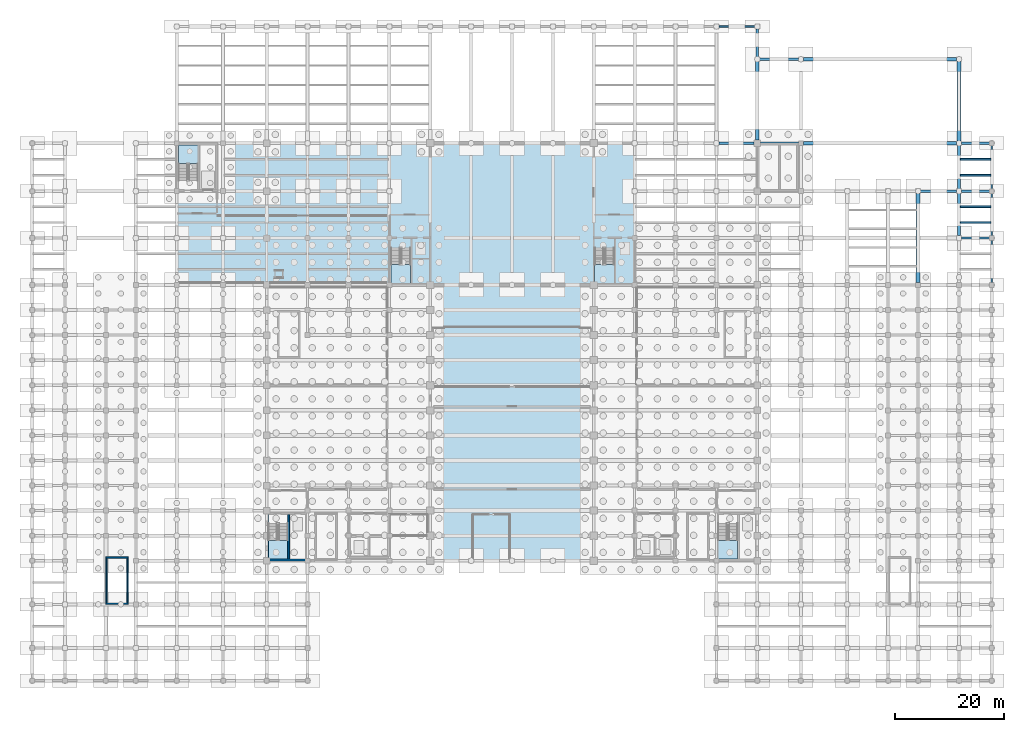
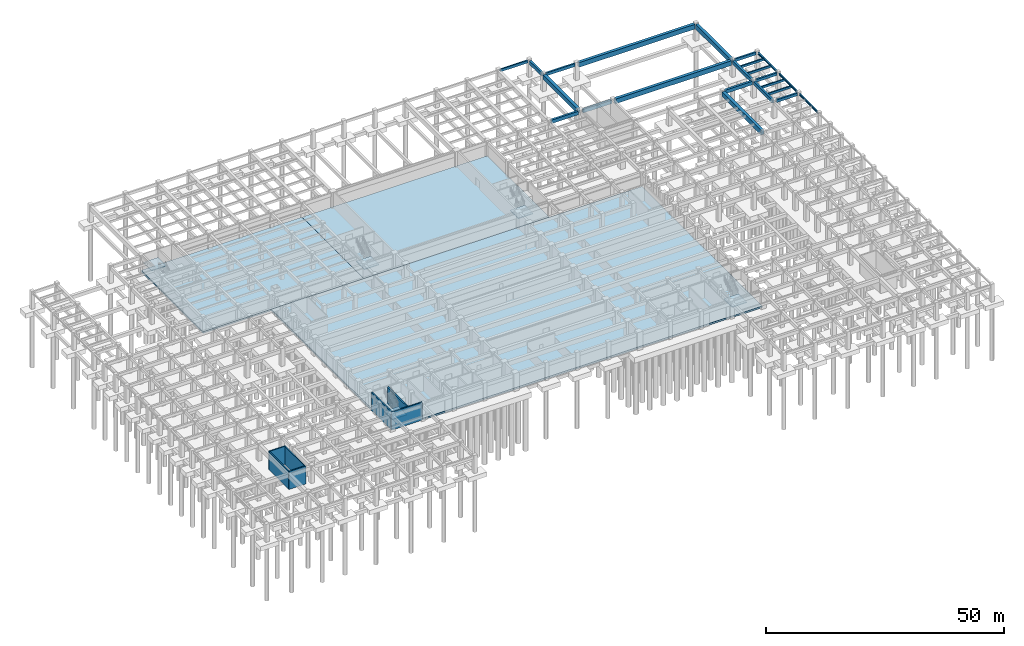
# One storey, part 20 of 32: 23 beams, 8 slabs, 7 walls, 5 elements without a shape of their own.
"""IFC4 building model written with IfcOpenShell, lengths in metres."""

from ifc_helpers import new_model, si_unit, direction, frame, frame_2d, origin, origin_2d, place, context, subcontext, project, spatial, polyline, rectangle, i_section, outline, extrude, material, layer, layer_set, material_profile, profile_set, type_object, element, aggregate, save


model = new_model("IFC4")

# Units and contexts
model_context = context("Model", 3, precision=1e-05, world=origin(), true_north=direction((0.0, 1.0)))
body_context = subcontext(model_context, "Body", "Model", "MODEL_VIEW")
ifc_project = project(units=[si_unit("LENGTHUNIT", "METRE"), si_unit("AREAUNIT", "SQUARE_METRE"), si_unit("VOLUMEUNIT", "CUBIC_METRE"), si_unit("PLANEANGLEUNIT", "RADIAN"), si_unit("MASSUNIT", "GRAM", prefix="KILO")], contexts=[model_context])

# Site, building, storey
site_placement = place(None, origin())
site = spatial("IfcSite", under=ifc_project, at=site_placement, CompositionType="ELEMENT")
building_placement = place(site_placement, origin())
building = spatial("IfcBuilding", under=site, at=building_placement, Name="Muzn Square Opera House", CompositionType="ELEMENT")
storey_placement = place(building_placement, frame((0.0, 0.0, -4.199951171875)))
storey = spatial("IfcBuildingStorey", under=building, at=storey_placement, Name="B1", CompositionType="ELEMENT", Elevation=-4.199951171875)

# Beams
ifc_material_1 = material(Name="Concrete C40/50", Category="concrete")
ifc_material_profile_1 = material_profile(ifc_material_1, rectangle(XDim=0.300048828125, YDim=0.550048828125, at=origin_2d()), Name="RCJ 300x550", Category="concrete")
ifc_profile_set_1 = profile_set([ifc_material_profile_1], Name="Concrete C40/50")
beam_type_1 = type_object("IfcBeamType", Name="Floor Joist 300x550", PredefinedType="JOIST", material=ifc_profile_set_1)
for number, where, z_axis, x_axis, name in (
    (1, (170.241943359375, 84.066650390625, 3.6650390625), (1.0, 0.0, 0.0), (0.0, 1.0, 0.0), "Floor Joist BM-B1-BM-J550-1702_841_1759_841-716"),
    (2, (170.241943359375, 86.933349609375, 3.6650390625), (1.0, 0.0, 0.0), (0.0, 1.0, 0.0), "Floor Joist BM-B1-BM-J550-1702_869_1759_869-717"),
    (3, (170.241943359375, 92.7333984375, 3.6650390625), (1.0, 0.0, 0.0), (0.0, 1.0, 0.0), "Floor Joist BM-B1-BM-J550-1702_927_1759_927-718"),
    (4, (170.241943359375, 95.666748046875, 3.6650390625), (1.0, 0.0, 0.0), (0.0, 1.0, 0.0), "Floor Joist BM-B1-BM-J550-1702_957_1759_957-719"),
):
    element("IfcBeam", number, at=place(storey_placement, frame(where, z_axis=z_axis, x_axis=x_axis)), inside=storey, type_object=beam_type_1, Name=name, PredefinedType="JOIST", context=body_context, shape_type="SweptSolid", body=[
        extrude(rectangle(XDim=0.300048828125, YDim=0.550048828125, at=origin_2d()), origin(), (0.0, 0.0, 1.0), 5.615966796875),
    ])
ifc_material_profile_2 = material_profile(ifc_material_1, rectangle(XDim=0.39990234375, YDim=0.699951171875, at=origin_2d()), Name="RCB 400x700", Category="concrete")
ifc_profile_set_2 = profile_set([ifc_material_profile_2], Name="Concrete C40/50")
beam_type_2 = type_object("IfcBeamType", Name="Primary Girder 400x700", PredefinedType="BEAM", material=ifc_profile_set_2)
for number, where, z_axis, x_axis, name in (
    (5, (170.44189453125, 81.199951171875, 3.58984375), (1.0, 0.0, 0.0), (0.0, 1.0, 0.0), "Primary Girder BM-B1-BM-PG700-1704_812_1756_812-241"),
    (6, (170.44189453125, 89.800048828125, 3.58984375), (1.0, 0.0, 0.0), (0.0, 1.0, 0.0), "Primary Girder BM-B1-BM-PG700-1704_898_1756_898-257"),
    (7, (170.44189453125, 98.60009765625, 3.530029296875), (1.0, 0.0, 0.0), (0.0, 1.0, 0.0), "Primary Girder BM-B1-BM-PG700-1704_986_1756_986-273"),
):
    element("IfcBeam", number, at=place(storey_placement, frame(where, z_axis=z_axis, x_axis=x_axis)), inside=storey, type_object=beam_type_2, Name=name, PredefinedType="BEAM", context=body_context, shape_type="SweptSolid", body=[
        extrude(rectangle(XDim=0.39990234375, YDim=0.699951171875, at=origin_2d()), origin(), (0.0, 0.0, 1.0), 5.14111328125),
    ])
ifc_material_profile_3 = material_profile(ifc_material_1, rectangle(XDim=0.5, YDim=0.89990234375, at=origin_2d()), Name="RCB 500x900", Category="concrete")
ifc_profile_set_3 = profile_set([ifc_material_profile_3], Name="Concrete C40/50")
beam_type_3 = type_object("IfcBeamType", Name="Primary Girder 500x900", PredefinedType="BEAM", material=ifc_profile_set_3)
beam_1_placement = place(storey_placement, frame((162.94189453125, 89.800048828125, 3.429931640625), z_axis=(1.0, 0.0, 0.0), x_axis=(0.0, 1.0, 0.0)))
element("IfcBeam", 8, at=beam_1_placement, inside=storey, type_object=beam_type_3, Name="Primary Girder BM-B1-BM-PG900-1629_898_1696_898-256", PredefinedType="BEAM", context=body_context, shape_type="SweptSolid", body=[
    extrude(rectangle(XDim=0.5, YDim=0.89990234375, at=origin_2d()), origin(), (0.0, 0.0, 1.0), 6.6162109375),
])
beam_2_placement = place(storey_placement, frame((125.94189453125, 98.60009765625, 3.389892578125), z_axis=(1.0, 0.0, 0.0), x_axis=(0.0, 1.0, 0.0)))
element("IfcBeam", 9, at=beam_2_placement, inside=storey, type_object=beam_type_3, Name="Primary Girder BM-B1-BM-PG900-1259_986_1324_986-270", PredefinedType="BEAM", context=body_context, shape_type="SweptSolid", body=[
    extrude(rectangle(XDim=0.5, YDim=0.89990234375, at=origin_2d()), origin(), (0.0, 0.0, 1.0), 6.466064453125),
])
beam_3_placement = place(storey_placement, frame((133.592041015625, 98.60009765625, 3.429931640625), z_axis=(1.0, 0.0, 0.0), x_axis=(0.0, 1.0, 0.0)))
element("IfcBeam", 10, at=beam_3_placement, inside=storey, type_object=beam_type_3, Name="Primary Girder BM-B1-BM-PG900-1336_986_1406_986-271", PredefinedType="BEAM", context=body_context, shape_type="SweptSolid", body=[
    extrude(rectangle(XDim=0.5, YDim=0.89990234375, at=origin_2d()), origin(), (0.0, 0.0, 1.0), 6.966064453125),
])
beam_4_placement = place(storey_placement, frame((170.0, 81.64208984375, 3.429931640625), z_axis=(0.0, 1.0, 0.0), x_axis=(-1.0, 0.0, 0.0)))
element("IfcBeam", 11, at=beam_4_placement, inside=storey, type_object=beam_type_3, Name="Primary Girder BM-B1-BM-PG900-1700_816_1700_894-560", PredefinedType="BEAM", context=body_context, shape_type="SweptSolid", body=[
    extrude(rectangle(XDim=0.5, YDim=0.89990234375, at=origin_2d()), origin(), (0.0, 0.0, 1.0), 7.7158203125),
])
beam_5_placement = place(storey_placement, frame((170.0, 90.241943359375, 3.429931640625), z_axis=(0.0, 1.0, 0.0), x_axis=(-1.0, 0.0, 0.0)))
element("IfcBeam", 12, at=beam_5_placement, inside=storey, type_object=beam_type_3, Name="Primary Girder BM-B1-BM-PG900-1700_902_1700_982-561", PredefinedType="BEAM", context=body_context, shape_type="SweptSolid", body=[
    extrude(rectangle(XDim=0.5, YDim=0.89990234375, at=origin_2d()), origin(), (0.0, 0.0, 1.0), 7.916015625),
])
beam_6_placement = place(storey_placement, frame((133.0, 114.44189453125, 3.389892578125), z_axis=(0.0, 1.0, 0.0), x_axis=(-1.0, 0.0, 0.0)))
element("IfcBeam", 13, at=beam_6_placement, inside=storey, type_object=beam_type_3, Name="Primary Girder BM-N114-B1-005", PredefinedType="BEAM", context=body_context, shape_type="SweptSolid", body=[
    extrude(rectangle(XDim=0.5, YDim=0.89990234375, at=origin_2d()), origin(), (0.0, 0.0, 1.0), 5.1162109375),
])
ifc_material_profile_4 = material_profile(ifc_material_1, rectangle(XDim=0.699951171875, YDim=1.199951171875, at=origin_2d()), Name="RCB 700x1200", Category="concrete")
ifc_profile_set_4 = profile_set([ifc_material_profile_4], Name="Concrete C40/50")
beam_type_4 = type_object("IfcBeamType", Name="Primary Girder 700x1200", PredefinedType="BEAM", material=ifc_profile_set_4)
beam_7_placement = place(storey_placement, frame((141.44189453125, 98.60009765625, 3.280029296875), z_axis=(1.0, 0.0, 0.0), x_axis=(0.0, 1.0, 0.0)))
element("IfcBeam", 14, at=beam_7_placement, inside=storey, type_object=beam_type_4, Name="Primary Girder BM-B1-BM-PG1200-1414_986_1696_986-272", PredefinedType="BEAM", context=body_context, shape_type="SweptSolid", body=[
    extrude(rectangle(XDim=0.699951171875, YDim=1.199951171875, at=origin_2d()), origin(), (0.0, 0.0, 1.0), 28.1162109375),
])
beam_8_placement = place(storey_placement, frame((162.5, 73.0419921875, 3.280029296875), z_axis=(0.0, 1.0, 0.0), x_axis=(-1.0, 0.0, 0.0)))
element("IfcBeam", 15, at=beam_8_placement, inside=storey, type_object=beam_type_4, Name="Primary Girder BM-B1-BM-PG1200-1625_730_1625_894-544", PredefinedType="BEAM", context=body_context, shape_type="SweptSolid", body=[
    extrude(rectangle(XDim=0.699951171875, YDim=1.199951171875, at=origin_2d()), origin(), (0.0, 0.0, 1.0), 16.31591796875),
])
beam_9_placement = place(storey_placement, frame((141.44189453125, 114.0, 3.280029296875), z_axis=(1.0, 0.0, 0.0), x_axis=(0.0, 1.0, 0.0)))
element("IfcBeam", 16, at=beam_9_placement, inside=storey, type_object=beam_type_4, Name="Spandrel Beam BM-N114-B1-002", PredefinedType="BEAM", context=body_context, shape_type="SweptSolid", body=[
    extrude(rectangle(XDim=0.699951171875, YDim=1.199951171875, at=origin_2d()), origin(), (0.0, 0.0, 1.0), 28.1162109375),
])
beam_10_placement = place(storey_placement, frame((133.0, 99.19189453125, 3.280029296875), z_axis=(0.0, 1.0, 0.0), x_axis=(-1.0, 0.0, 0.0)))
element("IfcBeam", 17, at=beam_10_placement, inside=storey, type_object=beam_type_4, Name="Primary Girder BM-N114-B1-003", PredefinedType="BEAM", context=body_context, shape_type="SweptSolid", body=[
    extrude(rectangle(XDim=0.699951171875, YDim=1.199951171875, at=origin_2d()), origin(), (0.0, 0.0, 1.0), 14.3662109375),
])
beam_11_placement = place(storey_placement, frame((170.0, 99.0419921875, 3.280029296875), z_axis=(0.0, 1.0, 0.0), x_axis=(-1.0, 0.0, 0.0)))
element("IfcBeam", 18, at=beam_11_placement, inside=storey, type_object=beam_type_4, Name="Primary Girder BM-N114-B1-004", PredefinedType="BEAM", context=body_context, shape_type="SweptSolid", body=[
    extrude(rectangle(XDim=0.699951171875, YDim=1.199951171875, at=origin_2d()), origin(), (0.0, 0.0, 1.0), 14.51611328125),
])
ifc_material_profile_5 = material_profile(ifc_material_1, rectangle(XDim=0.35009765625, YDim=0.64990234375, at=origin_2d()), Name="RCS 350x650", Category="concrete")
ifc_profile_set_5 = profile_set([ifc_material_profile_5], Name="Concrete C40/50")
beam_type_5 = type_object("IfcBeamType", Name="Spandrel Beam 350x650", PredefinedType="SPANDREL", material=ifc_profile_set_5)
beam_12_placement = place(storey_placement, frame((125.94189453125, 120.0, 3.514892578125), z_axis=(1.0, 0.0, 0.0), x_axis=(0.0, 1.0, 0.0)))
element("IfcBeam", 19, at=beam_12_placement, inside=storey, type_object=beam_type_5, Name="Spandrel Beam BM-B1-BM-SP650-1259_1200_1326_1200-287", PredefinedType="SPANDREL", context=body_context, shape_type="SweptSolid", body=[
    extrude(rectangle(XDim=0.35009765625, YDim=0.64990234375, at=origin_2d()), origin(), (0.0, 0.0, 1.0), 6.6162109375),
])
ifc_material_profile_6 = material_profile(ifc_material_1, rectangle(XDim=0.39990234375, YDim=0.75, at=origin_2d()), Name="RCS 400x750", Category="concrete")
ifc_profile_set_6 = profile_set([ifc_material_profile_6], Name="Concrete C40/50")
beam_type_6 = type_object("IfcBeamType", Name="Spandrel Beam 400x750", PredefinedType="SPANDREL", material=ifc_profile_set_6)
beam_13_placement = place(storey_placement, frame((133.44189453125, 114.0, 3.5048828125), z_axis=(1.0, 0.0, 0.0), x_axis=(0.0, 1.0, 0.0)))
element("IfcBeam", 20, at=beam_13_placement, inside=storey, type_object=beam_type_6, Name="Spandrel Beam BM-N114-B1-001", PredefinedType="SPANDREL", context=body_context, shape_type="SweptSolid", body=[
    extrude(rectangle(XDim=0.39990234375, YDim=0.75, at=origin_2d()), origin(), (0.0, 0.0, 1.0), 7.1162109375),
])
ifc_material_2 = material(Name="Steel S355", Category="steel")
ifc_material_profile_7 = material_profile(ifc_material_2, i_section(OverallWidth=0.300048828125, OverallDepth=0.489990234375, WebThickness=0.011962890625, FlangeThickness=0.02294921875, FilletRadius=0.027099609375, at=origin_2d()), Name="HEA 500", Category="steel")
ifc_profile_set_7 = profile_set([ifc_material_profile_7], Name="Steel S355")
beam_type_7 = type_object("IfcBeamType", Name="Steel Spandrel Beam HEA500", PredefinedType="SPANDREL", material=ifc_profile_set_7)
beam_14_placement = place(storey_placement, frame((176.0, 73.01708984375, 3.635009765625), z_axis=(0.0, 1.0, 0.0), x_axis=(-1.0, 0.0, 0.0)))
element("IfcBeam", 21, at=beam_14_placement, inside=storey, type_object=beam_type_7, Name="Spandrel Beam BM-B1-BM-SSP500-1760_730_1760_808-576", PredefinedType="SPANDREL", context=body_context, shape_type="SweptSolid", body=[
    extrude(i_section(OverallWidth=0.300048828125, OverallDepth=0.489990234375, WebThickness=0.011962890625, FlangeThickness=0.02294921875, FilletRadius=0.027099609375, at=origin_2d()), origin(), (0.0, 0.0, 1.0), 7.765869140625),
])
beam_15_placement = place(storey_placement, frame((176.0, 81.616943359375, 3.635009765625), z_axis=(0.0, 1.0, 0.0), x_axis=(-1.0, 0.0, 0.0)))
element("IfcBeam", 22, at=beam_15_placement, inside=storey, type_object=beam_type_7, Name="Spandrel Beam BM-B1-BM-SSP500-1760_816_1760_894-577", PredefinedType="SPANDREL", context=body_context, shape_type="SweptSolid", body=[
    extrude(i_section(OverallWidth=0.300048828125, OverallDepth=0.489990234375, WebThickness=0.011962890625, FlangeThickness=0.02294921875, FilletRadius=0.027099609375, at=origin_2d()), origin(), (0.0, 0.0, 1.0), 7.76611328125),
])
beam_16_placement = place(storey_placement, frame((176.0, 90.217041015625, 3.635009765625), z_axis=(0.0, 1.0, 0.0), x_axis=(-1.0, 0.0, 0.0)))
element("IfcBeam", 23, at=beam_16_placement, inside=storey, type_object=beam_type_7, Name="Spandrel Beam BM-B1-BM-SSP500-1760_902_1760_982-578", PredefinedType="SPANDREL", context=body_context, shape_type="SweptSolid", body=[
    extrude(i_section(OverallWidth=0.300048828125, OverallDepth=0.489990234375, WebThickness=0.011962890625, FlangeThickness=0.02294921875, FilletRadius=0.027099609375, at=origin_2d()), origin(), (0.0, 0.0, 1.0), 7.966064453125),
])

# Slabs
ifc_layer_1 = layer(ifc_material_1, 0.419921875, Name="Concrete C40/50", Category="concrete")
ifc_layer_set_1 = layer_set([ifc_layer_1], Name="Concrete C40/50")
slab_type_1 = type_object("IfcSlabType", Name="Base Slab 420mm", PredefinedType="BASESLAB", material=ifc_layer_set_1)
slab_1_placement = place(storey_placement, frame((0.0, 0.0, -0.420166015625)))
element("IfcSlab", 24, at=slab_1_placement, inside=storey, type_object=slab_type_1, Name="Floor Slab SLB-B1-HALL", PredefinedType="BASESLAB", context=body_context, shape_type="SweptSolid", body=[
    extrude(outline(polyline([(43.0, 22.0), (133.0, 22.0), (133.0, 72.60009765625), (43.0, 72.60009765625), (43.0, 22.0)])), origin(), (0.0, 0.0, 1.0), 0.420166015625),
])
slab_2_placement = place(storey_placement, frame((0.0, 0.0, -0.420166015625)))
element("IfcSlab", 25, at=slab_2_placement, inside=storey, type_object=slab_type_1, Name="Floor Slab SLB-B1-STAGE", PredefinedType="BASESLAB", context=body_context, shape_type="SweptSolid", body=[
    extrude(outline(polyline([(65.5, 72.60009765625), (110.5, 72.60009765625), (110.5, 98.60009765625), (65.5, 98.60009765625), (65.5, 72.60009765625)])), origin(), (0.0, 0.0, 1.0), 0.420166015625),
])
slab_3_placement = place(storey_placement, frame((0.0, 0.0, -0.420166015625)))
element("IfcSlab", 26, at=slab_3_placement, inside=storey, type_object=slab_type_1, Name="Floor Slab SLB-B1-WEST", PredefinedType="BASESLAB", context=body_context, shape_type="SweptSolid", body=[
    extrude(outline(polyline([(26.5, 72.60009765625), (65.5, 72.60009765625), (65.5, 98.60009765625), (26.5, 98.60009765625), (26.5, 72.60009765625)])), origin(), (0.0, 0.0, 1.0), 0.420166015625),
])

# Stair, slab
stair_type = type_object("IfcStairType", Name="Core Escape Dogleg Stair", PredefinedType="HALF_TURN_STAIR", material=ifc_material_1)
stair_1_placement = place(storey_placement, origin())
stair_1 = element("IfcStair", 27, at=stair_1_placement, inside=storey, type_object=stair_type, Name="B1 Escape Stair ST-1", PredefinedType="HALF_TURN_STAIR")
ifc_layer_2 = layer(ifc_material_1, 0.199951171875, Name="Concrete C40/50", Category="concrete")
ifc_layer_set_2 = layer_set([ifc_layer_2], Name="Concrete C40/50")
slab_type_2 = type_object("IfcSlabType", Name="Stair Half Landing 200mm", PredefinedType="LANDING", material=ifc_layer_set_2)
slab_4_placement = place(storey_placement, frame((0.0, 0.0, 1.89990234375)))
slab_4 = element("IfcSlab", 28, at=slab_4_placement, type_object=slab_type_2, Name="ST-1 landing 1", PredefinedType="LANDING", context=body_context, shape_type="SweptSolid", body=[
    extrude(outline(polyline([(65.800048828125, 76.360107421875), (65.800048828125, 72.89990234375), (69.39990234375, 72.89990234375), (69.39990234375, 76.360107421875), (65.800048828125, 76.360107421875)])), origin(), (0.0, 0.0, 1.0), 0.199951171875),
])
aggregate(stair_1, [slab_4])

stair_2_placement = place(storey_placement, origin())
stair_2 = element("IfcStair", 29, at=stair_2_placement, inside=storey, type_object=stair_type, Name="B1 Escape Stair ST-2", PredefinedType="HALF_TURN_STAIR")
slab_5_placement = place(storey_placement, frame((0.0, 0.0, 1.89990234375)))
slab_5 = element("IfcSlab", 30, at=slab_5_placement, type_object=slab_type_2, Name="ST-2 landing 1", PredefinedType="LANDING", context=body_context, shape_type="SweptSolid", body=[
    extrude(outline(polyline([(103.169921875, 76.360107421875), (103.169921875, 72.89990234375), (106.77001953125, 72.89990234375), (106.77001953125, 76.360107421875), (103.169921875, 76.360107421875)])), origin(), (0.0, 0.0, 1.0), 0.199951171875),
])
aggregate(stair_2, [slab_5])

stair_3_placement = place(storey_placement, origin())
stair_3 = element("IfcStair", 31, at=stair_3_placement, inside=storey, type_object=stair_type, Name="B1 Escape Stair ST-3", PredefinedType="HALF_TURN_STAIR")
slab_6_placement = place(storey_placement, frame((0.0, 0.0, 1.89990234375)))
slab_6 = element("IfcSlab", 32, at=slab_6_placement, type_object=slab_type_2, Name="ST-3 landing 1", PredefinedType="LANDING", context=body_context, shape_type="SweptSolid", body=[
    extrude(outline(polyline([(43.300048828125, 25.760009765625), (43.300048828125, 22.300048828125), (46.89990234375, 22.300048828125), (46.89990234375, 25.760009765625), (43.300048828125, 25.760009765625)])), origin(), (0.0, 0.0, 1.0), 0.199951171875),
])
aggregate(stair_3, [slab_6])

stair_4_placement = place(storey_placement, origin())
stair_4 = element("IfcStair", 33, at=stair_4_placement, inside=storey, type_object=stair_type, Name="B1 Escape Stair ST-4", PredefinedType="HALF_TURN_STAIR")
slab_7_placement = place(storey_placement, frame((0.0, 0.0, 1.89990234375)))
slab_7 = element("IfcSlab", 34, at=slab_7_placement, type_object=slab_type_2, Name="ST-4 landing 1", PredefinedType="LANDING", context=body_context, shape_type="SweptSolid", body=[
    extrude(outline(polyline([(125.800048828125, 25.760009765625), (125.800048828125, 22.300048828125), (129.39990234375, 22.300048828125), (129.39990234375, 25.760009765625), (125.800048828125, 25.760009765625)])), origin(), (0.0, 0.0, 1.0), 0.199951171875),
])
aggregate(stair_4, [slab_7])

stair_5_placement = place(storey_placement, origin())
stair_5 = element("IfcStair", 35, at=stair_5_placement, inside=storey, type_object=stair_type, Name="B1 Escape Stair ST-6", PredefinedType="HALF_TURN_STAIR")
slab_8_placement = place(storey_placement, frame((0.0, 0.0, 1.89990234375)))
slab_8 = element("IfcSlab", 36, at=slab_8_placement, type_object=slab_type_2, Name="ST-6 landing 1", PredefinedType="LANDING", context=body_context, shape_type="SweptSolid", body=[
    extrude(outline(polyline([(30.39990234375, 94.840087890625), (30.39990234375, 98.300048828125), (26.800048828125, 98.300048828125), (26.800048828125, 94.840087890625), (30.39990234375, 94.840087890625)])), origin(), (0.0, 0.0, 1.0), 0.199951171875),
])
aggregate(stair_5, [slab_8])

# Walls
ifc_material_3 = material(Name="Concrete C45/55", Category="concrete")
ifc_layer_3 = layer(ifc_material_3, 0.300048828125, Name="Concrete C45/55", Category="concrete")
ifc_layer_set_3 = layer_set([ifc_layer_3], Name="Concrete C45/55")
wall_type = type_object("IfcWallType", Name="Core Shear Wall 300mm", PredefinedType="SHEAR", material=ifc_layer_set_3)
wall_1_placement = place(storey_placement, frame((43.0, 22.14990234375, -0.420166015625), z_axis=(0.0, 0.0, 1.0), x_axis=(1.0, 0.0, 0.0)))
element("IfcWall", 37, at=wall_1_placement, inside=storey, type_object=wall_type, Name="Core C3 Shear Wall SW-C3-B1-S", PredefinedType="SHEAR", context=body_context, shape_type="SweptSolid", body=[
    extrude(rectangle(XDim=7.5, YDim=0.300048828125, at=frame_2d((3.75, 0.0))), origin(), (0.0, 0.0, 1.0), 4.6201171875),
])
for number, where, z_axis, x_axis, name in (
    (38, (43.14990234375, 22.300048828125, -0.420166015625), (0.0, 0.0, 1.0), (0.0, 1.0, 0.0), "Core C3 Shear Wall SW-C3-B1-W"),
    (39, (47.050048828125, 22.300048828125, -0.420166015625), (0.0, 0.0, 1.0), (0.0, 1.0, 0.0), "Core C3 Shear Wall SW-C3-B1-DIV"),
):
    element("IfcWall", number, at=place(storey_placement, frame(where, z_axis=z_axis, x_axis=x_axis)), inside=storey, type_object=wall_type, Name=name, PredefinedType="SHEAR", context=body_context, shape_type="SweptSolid", body=[
        extrude(rectangle(XDim=8.199951171875, YDim=0.300048828125, at=frame_2d((4.10009765625, 0.0))), origin(), (0.0, 0.0, 1.0), 4.6201171875),
    ])
wall_2_placement = place(storey_placement, frame((13.5, 14.125, -0.420166015625), z_axis=(0.0, 0.0, 1.0), x_axis=(1.0, 0.0, 0.0)))
element("IfcWall", 40, at=wall_2_placement, inside=storey, type_object=wall_type, Name="Escape Stair ST-7 Substructure Wall S", PredefinedType="SHEAR", context=body_context, shape_type="SweptSolid", body=[
    extrude(rectangle(XDim=4.10009765625, YDim=0.25, at=frame_2d((2.050048828125, 0.0))), origin(), (0.0, 0.0, 1.0), 4.6201171875),
])
for number, where, z_axis, x_axis, name in (
    (41, (13.625, 14.25, -0.420166015625), (0.0, 0.0, 1.0), (0.0, 1.0, 0.0), "Escape Stair ST-7 Substructure Wall W"),
    (42, (17.47509765625, 14.25, -0.420166015625), (0.0, 0.0, 1.0), (0.0, 1.0, 0.0), "Escape Stair ST-7 Substructure Wall E"),
):
    element("IfcWall", number, at=place(storey_placement, frame(where, z_axis=z_axis, x_axis=x_axis)), inside=storey, type_object=wall_type, Name=name, PredefinedType="SHEAR", context=body_context, shape_type="SweptSolid", body=[
        extrude(rectangle(XDim=8.199951171875, YDim=0.25, at=frame_2d((4.10009765625, 0.0))), origin(), (0.0, 0.0, 1.0), 4.6201171875),
    ])
wall_3_placement = place(storey_placement, frame((13.5, 22.574951171875, -0.420166015625), z_axis=(0.0, 0.0, 1.0), x_axis=(1.0, 0.0, 0.0)))
element("IfcWall", 43, at=wall_3_placement, inside=storey, type_object=wall_type, Name="Escape Stair ST-7 Substructure Wall N", PredefinedType="SHEAR", context=body_context, shape_type="SweptSolid", body=[
    extrude(rectangle(XDim=4.10009765625, YDim=0.25, at=frame_2d((2.050048828125, 0.0))), origin(), (0.0, 0.0, 1.0), 4.6201171875),
])

save(model, "model.ifc")
